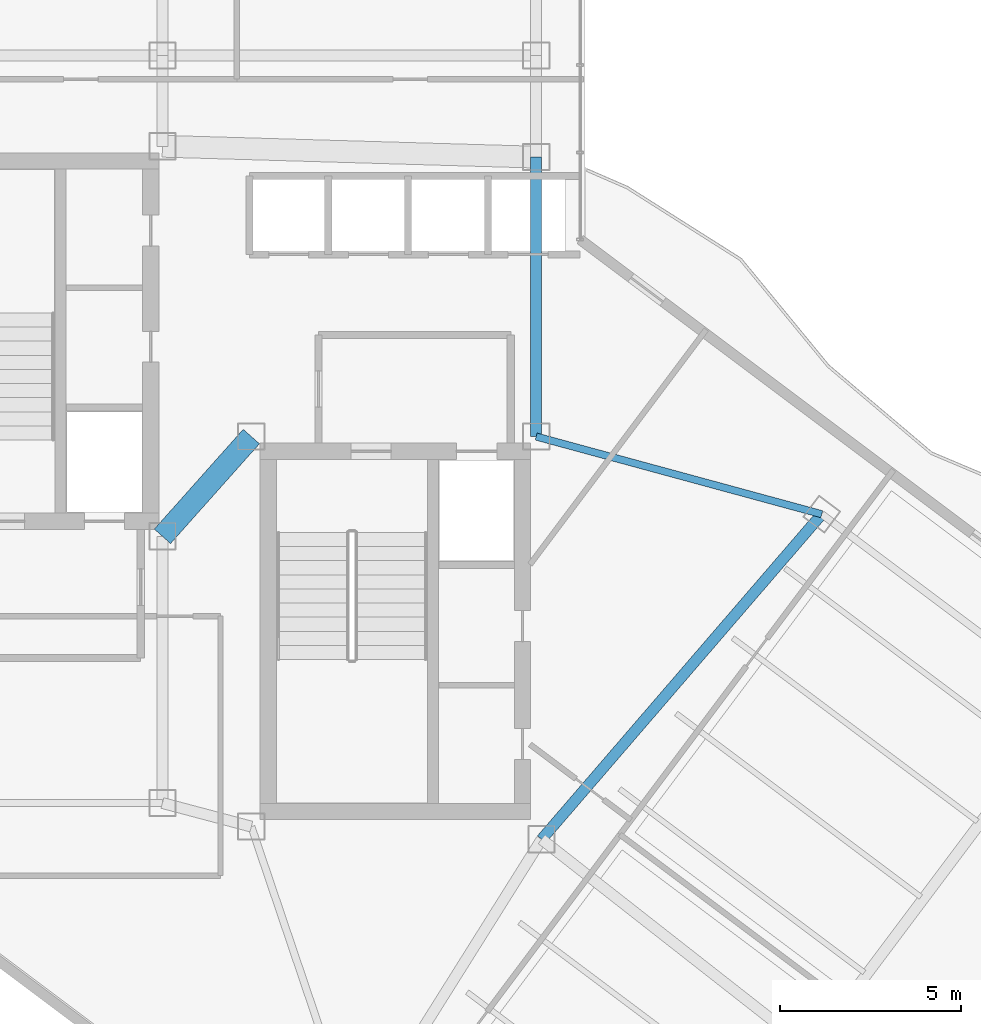
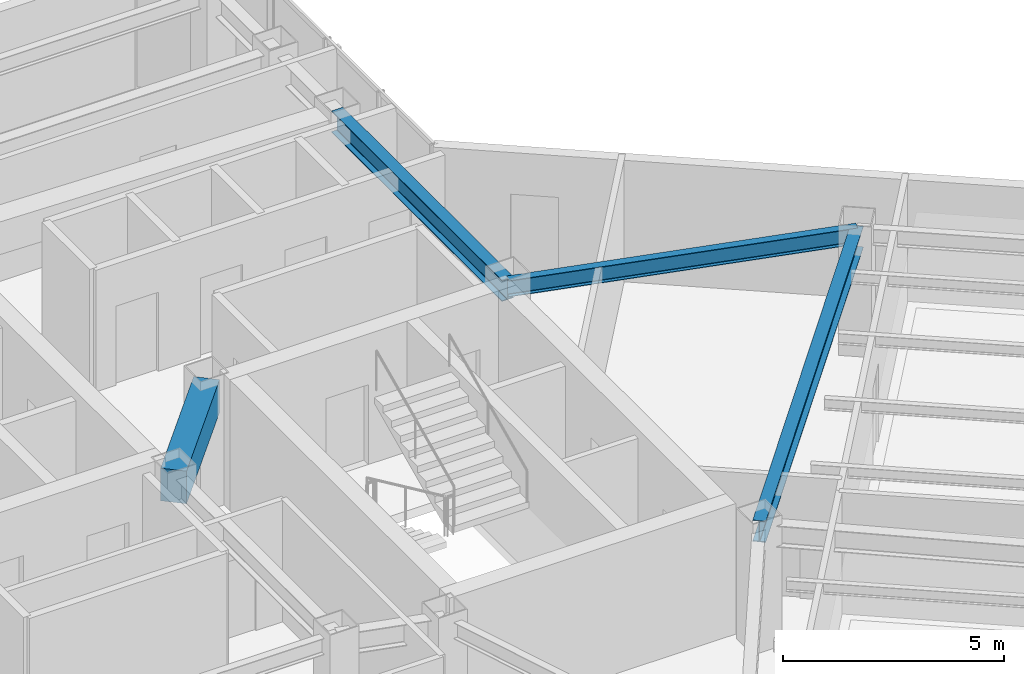
# One storey, part 9 of 24: 4 beams.
"""IFC4 building model written with IfcOpenShell, lengths in metres."""

from ifc_helpers import new_model, si_unit, direction, frame, origin, origin_2d, place, context, subcontext, project, spatial, rectangle, i_section, extrude, material, material_profile, profile_set, type_object, element, save


model = new_model("IFC4")

# Units and contexts
model_context = context("Model", 3, precision=1e-05, world=origin(), true_north=direction((0.0, 1.0)))
body_context = subcontext(model_context, "Body", "Model", "MODEL_VIEW")
ifc_project = project(units=[si_unit("LENGTHUNIT", "METRE"), si_unit("AREAUNIT", "SQUARE_METRE"), si_unit("VOLUMEUNIT", "CUBIC_METRE"), si_unit("PLANEANGLEUNIT", "RADIAN"), si_unit("MASSUNIT", "GRAM", prefix="KILO")], contexts=[model_context])

# Site, building, storey
site_placement = place(None, origin())
site = spatial("IfcSite", under=ifc_project, at=site_placement, CompositionType="ELEMENT")
building_placement = place(site_placement, origin())
building = spatial("IfcBuilding", under=site, at=building_placement, Name="Hatsunagi Terrace Concourse", CompositionType="ELEMENT")
storey_placement = place(building_placement, frame((0.0, 0.0, 202.35009765625)))
storey = spatial("IfcBuildingStorey", under=building, at=storey_placement, Name="L53", CompositionType="ELEMENT", Elevation=202.35009765625)

# Beams
ifc_material_1 = material(Name="Concrete Fc42", Category="concrete")
ifc_material_profile_1 = material_profile(ifc_material_1, rectangle(XDim=0.60009765625, YDim=0.89990234375, at=origin_2d()), Name="RC-600x900")
ifc_profile_set_1 = profile_set([ifc_material_profile_1], Name="Concrete Fc42")
beam_type_1 = type_object("IfcBeamType", Name="CoreCouplingBeam_RC_600x900", PredefinedType="BEAM", material=ifc_profile_set_1)
beam_1_placement = place(storey_placement, frame((33.35009765625, 32.550048828125, 2.89990234375), z_axis=(0.665198651008, 0.746666427997, 0.0), x_axis=(-0.746666427997, 0.665198651008, 0.0)))
element("IfcBeam", 1, at=beam_1_placement, inside=storey, type_object=beam_type_1, Name="Beam CB-03 CB-L53-1", PredefinedType="BEAM", context=body_context, shape_type="SweptSolid", body=[
    extrude(rectangle(XDim=0.60009765625, YDim=0.89990234375, at=origin_2d()), origin(), (0.0, 0.0, 1.0), 3.68310546875),
])
ifc_material_2 = material(Name="Steel SN490B", Category="steel")
ifc_material_profile_2 = material_profile(ifc_material_2, i_section(OverallWidth=0.300048828125, OverallDepth=0.587890625, WebThickness=0.011962890625, FlangeThickness=0.02001953125, FilletRadius=0.01806640625, at=origin_2d()), Name="H-588x300x12x20")
ifc_profile_set_2 = profile_set([ifc_material_profile_2], Name="Steel SN490B")
beam_type_2 = type_object("IfcBeamType", Name="OfficeHighGirder_H_588x300", PredefinedType="BEAM", material=ifc_profile_set_2)
beam_2_placement = place(storey_placement, frame((43.64990234375, 35.300048828125, 3.055908203125), z_axis=(0.0, 1.0, 0.0), x_axis=(-1.0, 0.0, 0.0)))
element("IfcBeam", 2, at=beam_2_placement, inside=storey, type_object=beam_type_2, Name="Beam G-06 BM-L53-CBK3", PredefinedType="BEAM", context=body_context, shape_type="SweptSolid", body=[
    extrude(i_section(OverallWidth=0.300048828125, OverallDepth=0.587890625, WebThickness=0.011962890625, FlangeThickness=0.02001953125, FilletRadius=0.01806640625, at=origin_2d()), origin(), (0.0, 0.0, 1.0), 7.699951171875),
])
beam_3_placement = place(storey_placement, frame((43.800048828125, 24.199951171875, 3.055908203125), z_axis=(0.652739101421, 0.757582777969, 0.0), x_axis=(-0.757582777969, 0.652739101421, 0.0)))
element("IfcBeam", 3, at=beam_3_placement, inside=storey, type_object=beam_type_2, Name="Beam G-06 BM-L53-SET-1B", PredefinedType="BEAM", context=body_context, shape_type="SweptSolid", body=[
    extrude(i_section(OverallWidth=0.300048828125, OverallDepth=0.587890625, WebThickness=0.011962890625, FlangeThickness=0.02001953125, FilletRadius=0.01806640625, at=origin_2d()), origin(), (0.0, 0.0, 1.0), 11.8271484375),
])
ifc_material_3 = material(Name="Steel SN490B", Category="steel")
ifc_material_profile_3 = material_profile(ifc_material_3, i_section(OverallWidth=0.199951171875, OverallDepth=0.449951171875, WebThickness=0.009033203125, FlangeThickness=0.013916015625, FilletRadius=0.01611328125, at=origin_2d()), Name="H-450x200x9x14")
ifc_profile_set_3 = profile_set([ifc_material_profile_3], Name="Steel SN490B")
beam_type_3 = type_object("IfcBeamType", Name="PerimeterSpandrel_H_450x200", PredefinedType="SPANDREL", material=ifc_profile_set_3)
beam_4_placement = place(storey_placement, frame((43.64990234375, 35.300048828125, 3.125), z_axis=(0.964958359286, -0.262403057994, 0.0), x_axis=(0.262403057994, 0.964958359286, 0.0)))
element("IfcBeam", 4, at=beam_4_placement, inside=storey, type_object=beam_type_3, Name="Beam SP-02 BM-L53-SE-NE0", PredefinedType="SPANDREL", context=body_context, shape_type="SweptSolid", body=[
    extrude(i_section(OverallWidth=0.199951171875, OverallDepth=0.449951171875, WebThickness=0.009033203125, FlangeThickness=0.013916015625, FilletRadius=0.01611328125, at=origin_2d()), origin(), (0.0, 0.0, 1.0), 8.156005859375),
])

save(model, "model.ifc")
